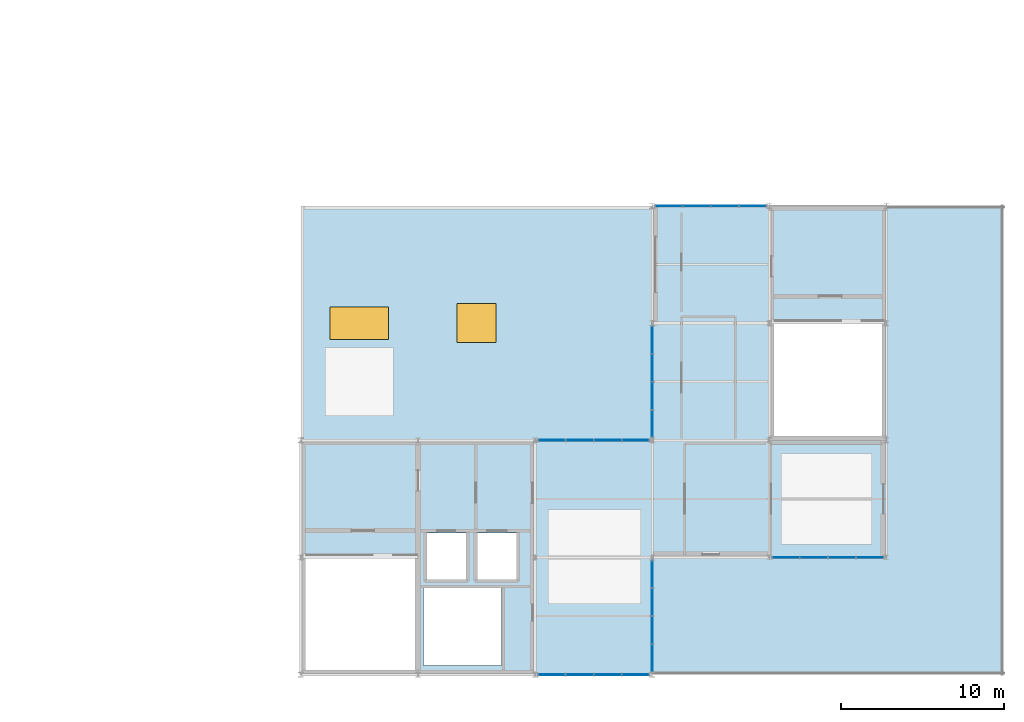
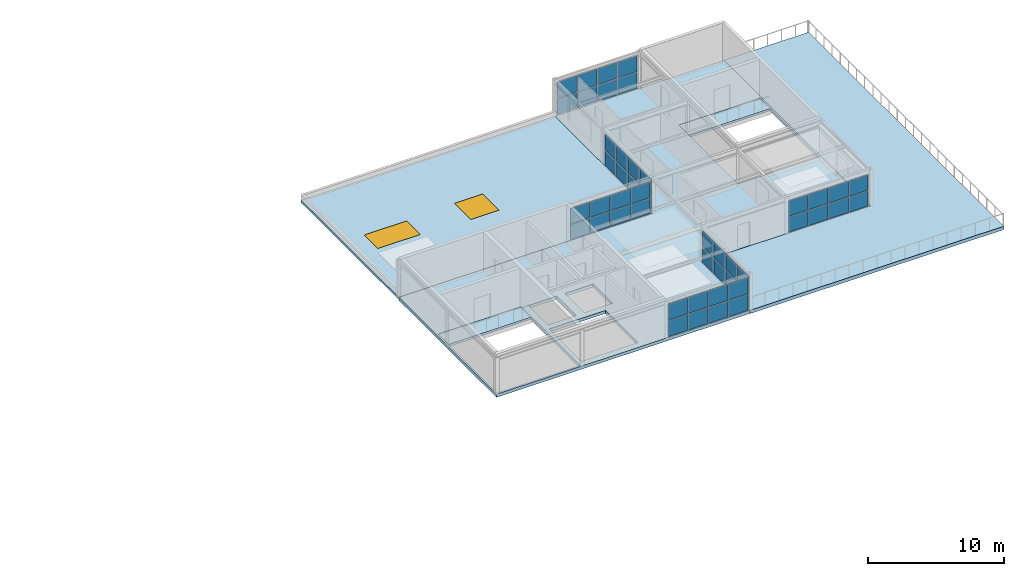
# One storey, part 14 of 22: 48 plates, 5 slabs, 2 windows, 2 openings, 6 elements without a shape of their own.
"""IFC4 building model written with IfcOpenShell, lengths in metres."""

from ifc_helpers import new_model, si_unit, direction, frame, origin, origin_2d, place, context, subcontext, project, spatial, polyline, rectangle, outline, extrude, material, layer, layer_set, type_object, element, fill, aggregate, save


model = new_model("IFC4")

# Units and contexts
model_context = context("Model", 3, precision=1e-05, world=origin(), true_north=direction((0.0, 1.0)))
body_context = subcontext(model_context, "Body", "Model", "MODEL_VIEW")
ifc_project = project(units=[si_unit("LENGTHUNIT", "METRE"), si_unit("AREAUNIT", "SQUARE_METRE"), si_unit("VOLUMEUNIT", "CUBIC_METRE"), si_unit("PLANEANGLEUNIT", "RADIAN"), si_unit("MASSUNIT", "GRAM", prefix="KILO")], contexts=[model_context])

# Site, building, storey
site_placement = place(None, origin())
site = spatial("IfcSite", under=ifc_project, at=site_placement, CompositionType="ELEMENT")
building_placement = place(site_placement, origin())
building = spatial("IfcBuilding", under=site, at=building_placement, Name="Leyfeld Transit Interchange", CompositionType="ELEMENT")
storey_placement = place(building_placement, frame((0.0, 0.0, 18.0)))
storey = spatial("IfcBuildingStorey", under=building, at=storey_placement, Name="L04", CompositionType="ELEMENT", Elevation=18.0)

# Curtain wall, plates
ifc_material_1 = material(Name="Anodised aluminium EN AW-6060 T66", Category="aluminium")
curtain_wall_type = type_object("IfcCurtainWallType", Name="CW-SYS-BUS-7200", PredefinedType="NOTDEFINED", material=ifc_material_1)
curtain_wall_1_placement = place(storey_placement, origin())
curtain_wall_1 = element("IfcCurtainWall", 1, at=curtain_wall_1_placement, inside=storey, type_object=curtain_wall_type, Name="Curtain Wall CW-L04-139", PredefinedType="NOTDEFINED")
ifc_material_2 = material(Name="Laminated safety acoustic glazing", Category="glass")
ifc_layer_1 = layer(ifc_material_2, 0.048095703125, Name="Laminated safety acoustic glazing")
ifc_layer_set_1 = layer_set([ifc_layer_1], Name="Laminated safety acoustic glazing")
plate_type = type_object("IfcPlateType", Name="CW-PNL-ACU-48", PredefinedType="CURTAIN_PANEL", material=ifc_layer_set_1)
plate_1_placement = place(storey_placement, frame((152.2236328125, 72.0, 0.073486328125), z_axis=(0.0, 0.0, 1.0), x_axis=(1.0, 0.0, 0.0)))
plate_1 = element("IfcPlate", 2, at=plate_1_placement, type_object=plate_type, Name="Glazed Curtain Panel CW-L04-139-P01_1", PredefinedType="CURTAIN_PANEL", context=body_context, shape_type="SweptSolid", body=[
    extrude(rectangle(XDim=1.62060546875, YDim=0.048095703125, at=origin_2d()), origin(), (0.0, 0.0, 1.0), 1.35546875),
])
plate_2_placement = place(storey_placement, frame((152.2236328125, 72.0, 1.5009765625), z_axis=(0.0, 0.0, 1.0), x_axis=(1.0, 0.0, 0.0)))
plate_2 = element("IfcPlate", 3, at=plate_2_placement, type_object=plate_type, Name="Glazed Curtain Panel CW-L04-139-P01_2", PredefinedType="CURTAIN_PANEL", context=body_context, shape_type="SweptSolid", body=[
    extrude(rectangle(XDim=1.62060546875, YDim=0.048095703125, at=origin_2d()), origin(), (0.0, 0.0, 1.0), 1.35546875),
])
plate_3_placement = place(storey_placement, frame((153.93505859375, 72.0, 0.073486328125), z_axis=(0.0, 0.0, 1.0), x_axis=(1.0, 0.0, 0.0)))
plate_3 = element("IfcPlate", 4, at=plate_3_placement, type_object=plate_type, Name="Glazed Curtain Panel CW-L04-139-P02_1", PredefinedType="CURTAIN_PANEL", context=body_context, shape_type="SweptSolid", body=[
    extrude(rectangle(XDim=1.657958984375, YDim=0.048095703125, at=origin_2d()), origin(), (0.0, 0.0, 1.0), 1.35546875),
])
plate_4_placement = place(storey_placement, frame((153.93505859375, 72.0, 1.5009765625), z_axis=(0.0, 0.0, 1.0), x_axis=(1.0, 0.0, 0.0)))
plate_4 = element("IfcPlate", 5, at=plate_4_placement, type_object=plate_type, Name="Glazed Curtain Panel CW-L04-139-P02_2", PredefinedType="CURTAIN_PANEL", context=body_context, shape_type="SweptSolid", body=[
    extrude(rectangle(XDim=1.657958984375, YDim=0.048095703125, at=origin_2d()), origin(), (0.0, 0.0, 1.0), 1.35546875),
])
plate_5_placement = place(storey_placement, frame((155.6650390625, 72.0, 0.073486328125), z_axis=(0.0, 0.0, 1.0), x_axis=(1.0, 0.0, 0.0)))
plate_5 = element("IfcPlate", 6, at=plate_5_placement, type_object=plate_type, Name="Glazed Curtain Panel CW-L04-139-P03_1", PredefinedType="CURTAIN_PANEL", context=body_context, shape_type="SweptSolid", body=[
    extrude(rectangle(XDim=1.657958984375, YDim=0.048095703125, at=origin_2d()), origin(), (0.0, 0.0, 1.0), 1.35546875),
])
plate_6_placement = place(storey_placement, frame((155.6650390625, 72.0, 1.5009765625), z_axis=(0.0, 0.0, 1.0), x_axis=(1.0, 0.0, 0.0)))
plate_6 = element("IfcPlate", 7, at=plate_6_placement, type_object=plate_type, Name="Glazed Curtain Panel CW-L04-139-P03_2", PredefinedType="CURTAIN_PANEL", context=body_context, shape_type="SweptSolid", body=[
    extrude(rectangle(XDim=1.657958984375, YDim=0.048095703125, at=origin_2d()), origin(), (0.0, 0.0, 1.0), 1.35546875),
])
plate_7_placement = place(storey_placement, frame((157.376220703125, 72.0, 0.073486328125), z_axis=(0.0, 0.0, 1.0), x_axis=(1.0, 0.0, 0.0)))
plate_7 = element("IfcPlate", 8, at=plate_7_placement, type_object=plate_type, Name="Glazed Curtain Panel CW-L04-139-P04_1", PredefinedType="CURTAIN_PANEL", context=body_context, shape_type="SweptSolid", body=[
    extrude(rectangle(XDim=1.62060546875, YDim=0.048095703125, at=origin_2d()), origin(), (0.0, 0.0, 1.0), 1.35546875),
])
plate_8_placement = place(storey_placement, frame((157.376220703125, 72.0, 1.5009765625), z_axis=(0.0, 0.0, 1.0), x_axis=(1.0, 0.0, 0.0)))
plate_8 = element("IfcPlate", 9, at=plate_8_placement, type_object=plate_type, Name="Glazed Curtain Panel CW-L04-139-P04_2", PredefinedType="CURTAIN_PANEL", context=body_context, shape_type="SweptSolid", body=[
    extrude(rectangle(XDim=1.62060546875, YDim=0.048095703125, at=origin_2d()), origin(), (0.0, 0.0, 1.0), 1.35546875),
])
aggregate(curtain_wall_1, [plate_1, plate_2, plate_3, plate_4, plate_5, plate_6, plate_7, plate_8])

curtain_wall_2_placement = place(storey_placement, origin())
curtain_wall_2 = element("IfcCurtainWall", 10, at=curtain_wall_2_placement, inside=storey, type_object=curtain_wall_type, Name="Curtain Wall CW-L04-140", PredefinedType="NOTDEFINED")
plate_9_placement = place(storey_placement, frame((158.39990234375, 73.023681640625, 0.07373046875), z_axis=(0.0, 0.0, 1.0), x_axis=(0.0, 1.0, 0.0)))
plate_9 = element("IfcPlate", 11, at=plate_9_placement, type_object=plate_type, Name="Glazed Curtain Panel CW-L04-140-P01_1", PredefinedType="CURTAIN_PANEL", context=body_context, shape_type="SweptSolid", body=[
    extrude(rectangle(XDim=1.62060546875, YDim=0.048095703125, at=origin_2d()), origin(), (0.0, 0.0, 1.0), 1.380615234375),
])
plate_10_placement = place(storey_placement, frame((158.39990234375, 73.023681640625, 1.52587890625), z_axis=(0.0, 0.0, 1.0), x_axis=(0.0, 1.0, 0.0)))
plate_10 = element("IfcPlate", 12, at=plate_10_placement, type_object=plate_type, Name="Glazed Curtain Panel CW-L04-140-P01_2", PredefinedType="CURTAIN_PANEL", context=body_context, shape_type="SweptSolid", body=[
    extrude(rectangle(XDim=1.62060546875, YDim=0.048095703125, at=origin_2d()), origin(), (0.0, 0.0, 1.0), 1.380615234375),
])
plate_11_placement = place(storey_placement, frame((158.39990234375, 74.735107421875, 0.07373046875), z_axis=(0.0, 0.0, 1.0), x_axis=(0.0, 1.0, 0.0)))
plate_11 = element("IfcPlate", 13, at=plate_11_placement, type_object=plate_type, Name="Glazed Curtain Panel CW-L04-140-P02_1", PredefinedType="CURTAIN_PANEL", context=body_context, shape_type="SweptSolid", body=[
    extrude(rectangle(XDim=1.657958984375, YDim=0.048095703125, at=origin_2d()), origin(), (0.0, 0.0, 1.0), 1.380615234375),
])
plate_12_placement = place(storey_placement, frame((158.39990234375, 74.735107421875, 1.52587890625), z_axis=(0.0, 0.0, 1.0), x_axis=(0.0, 1.0, 0.0)))
plate_12 = element("IfcPlate", 14, at=plate_12_placement, type_object=plate_type, Name="Glazed Curtain Panel CW-L04-140-P02_2", PredefinedType="CURTAIN_PANEL", context=body_context, shape_type="SweptSolid", body=[
    extrude(rectangle(XDim=1.657958984375, YDim=0.048095703125, at=origin_2d()), origin(), (0.0, 0.0, 1.0), 1.380615234375),
])
plate_13_placement = place(storey_placement, frame((158.39990234375, 76.465087890625, 0.07373046875), z_axis=(0.0, 0.0, 1.0), x_axis=(0.0, 1.0, 0.0)))
plate_13 = element("IfcPlate", 15, at=plate_13_placement, type_object=plate_type, Name="Glazed Curtain Panel CW-L04-140-P03_1", PredefinedType="CURTAIN_PANEL", context=body_context, shape_type="SweptSolid", body=[
    extrude(rectangle(XDim=1.657958984375, YDim=0.048095703125, at=origin_2d()), origin(), (0.0, 0.0, 1.0), 1.380615234375),
])
plate_14_placement = place(storey_placement, frame((158.39990234375, 76.465087890625, 1.52587890625), z_axis=(0.0, 0.0, 1.0), x_axis=(0.0, 1.0, 0.0)))
plate_14 = element("IfcPlate", 16, at=plate_14_placement, type_object=plate_type, Name="Glazed Curtain Panel CW-L04-140-P03_2", PredefinedType="CURTAIN_PANEL", context=body_context, shape_type="SweptSolid", body=[
    extrude(rectangle(XDim=1.657958984375, YDim=0.048095703125, at=origin_2d()), origin(), (0.0, 0.0, 1.0), 1.380615234375),
])
plate_15_placement = place(storey_placement, frame((158.39990234375, 78.17626953125, 0.07373046875), z_axis=(0.0, 0.0, 1.0), x_axis=(0.0, 1.0, 0.0)))
plate_15 = element("IfcPlate", 17, at=plate_15_placement, type_object=plate_type, Name="Glazed Curtain Panel CW-L04-140-P04_1", PredefinedType="CURTAIN_PANEL", context=body_context, shape_type="SweptSolid", body=[
    extrude(rectangle(XDim=1.62060546875, YDim=0.048095703125, at=origin_2d()), origin(), (0.0, 0.0, 1.0), 1.380615234375),
])
plate_16_placement = place(storey_placement, frame((158.39990234375, 78.17626953125, 1.52587890625), z_axis=(0.0, 0.0, 1.0), x_axis=(0.0, 1.0, 0.0)))
plate_16 = element("IfcPlate", 18, at=plate_16_placement, type_object=plate_type, Name="Glazed Curtain Panel CW-L04-140-P04_2", PredefinedType="CURTAIN_PANEL", context=body_context, shape_type="SweptSolid", body=[
    extrude(rectangle(XDim=1.62060546875, YDim=0.048095703125, at=origin_2d()), origin(), (0.0, 0.0, 1.0), 1.380615234375),
])
aggregate(curtain_wall_2, [plate_9, plate_10, plate_11, plate_12, plate_13, plate_14, plate_15, plate_16])

curtain_wall_3_placement = place(storey_placement, origin())
curtain_wall_3 = element("IfcCurtainWall", 19, at=curtain_wall_3_placement, inside=storey, type_object=curtain_wall_type, Name="Curtain Wall CW-L04-141", PredefinedType="NOTDEFINED")
plate_17_placement = place(storey_placement, frame((159.423583984375, 86.39990234375, 0.07373046875), z_axis=(0.0, 0.0, 1.0), x_axis=(1.0, 0.0, 0.0)))
plate_17 = element("IfcPlate", 20, at=plate_17_placement, type_object=plate_type, Name="Glazed Curtain Panel CW-L04-141-P01_1", PredefinedType="CURTAIN_PANEL", context=body_context, shape_type="SweptSolid", body=[
    extrude(rectangle(XDim=1.62060546875, YDim=0.048095703125, at=origin_2d()), origin(), (0.0, 0.0, 1.0), 1.430419921875),
])
plate_18_placement = place(storey_placement, frame((159.423583984375, 86.39990234375, 1.576171875), z_axis=(0.0, 0.0, 1.0), x_axis=(1.0, 0.0, 0.0)))
plate_18 = element("IfcPlate", 21, at=plate_18_placement, type_object=plate_type, Name="Glazed Curtain Panel CW-L04-141-P01_2", PredefinedType="CURTAIN_PANEL", context=body_context, shape_type="SweptSolid", body=[
    extrude(rectangle(XDim=1.62060546875, YDim=0.048095703125, at=origin_2d()), origin(), (0.0, 0.0, 1.0), 1.430419921875),
])
plate_19_placement = place(storey_placement, frame((161.135009765625, 86.39990234375, 0.07373046875), z_axis=(0.0, 0.0, 1.0), x_axis=(1.0, 0.0, 0.0)))
plate_19 = element("IfcPlate", 22, at=plate_19_placement, type_object=plate_type, Name="Glazed Curtain Panel CW-L04-141-P02_1", PredefinedType="CURTAIN_PANEL", context=body_context, shape_type="SweptSolid", body=[
    extrude(rectangle(XDim=1.657958984375, YDim=0.048095703125, at=origin_2d()), origin(), (0.0, 0.0, 1.0), 1.430419921875),
])
plate_20_placement = place(storey_placement, frame((161.135009765625, 86.39990234375, 1.576171875), z_axis=(0.0, 0.0, 1.0), x_axis=(1.0, 0.0, 0.0)))
plate_20 = element("IfcPlate", 23, at=plate_20_placement, type_object=plate_type, Name="Glazed Curtain Panel CW-L04-141-P02_2", PredefinedType="CURTAIN_PANEL", context=body_context, shape_type="SweptSolid", body=[
    extrude(rectangle(XDim=1.657958984375, YDim=0.048095703125, at=origin_2d()), origin(), (0.0, 0.0, 1.0), 1.430419921875),
])
plate_21_placement = place(storey_placement, frame((162.864990234375, 86.39990234375, 0.07373046875), z_axis=(0.0, 0.0, 1.0), x_axis=(1.0, 0.0, 0.0)))
plate_21 = element("IfcPlate", 24, at=plate_21_placement, type_object=plate_type, Name="Glazed Curtain Panel CW-L04-141-P03_1", PredefinedType="CURTAIN_PANEL", context=body_context, shape_type="SweptSolid", body=[
    extrude(rectangle(XDim=1.657958984375, YDim=0.048095703125, at=origin_2d()), origin(), (0.0, 0.0, 1.0), 1.430419921875),
])
plate_22_placement = place(storey_placement, frame((162.864990234375, 86.39990234375, 1.576171875), z_axis=(0.0, 0.0, 1.0), x_axis=(1.0, 0.0, 0.0)))
plate_22 = element("IfcPlate", 25, at=plate_22_placement, type_object=plate_type, Name="Glazed Curtain Panel CW-L04-141-P03_2", PredefinedType="CURTAIN_PANEL", context=body_context, shape_type="SweptSolid", body=[
    extrude(rectangle(XDim=1.657958984375, YDim=0.048095703125, at=origin_2d()), origin(), (0.0, 0.0, 1.0), 1.430419921875),
])
plate_23_placement = place(storey_placement, frame((164.576171875, 86.39990234375, 0.07373046875), z_axis=(0.0, 0.0, 1.0), x_axis=(1.0, 0.0, 0.0)))
plate_23 = element("IfcPlate", 26, at=plate_23_placement, type_object=plate_type, Name="Glazed Curtain Panel CW-L04-141-P04_1", PredefinedType="CURTAIN_PANEL", context=body_context, shape_type="SweptSolid", body=[
    extrude(rectangle(XDim=1.62060546875, YDim=0.048095703125, at=origin_2d()), origin(), (0.0, 0.0, 1.0), 1.430419921875),
])
plate_24_placement = place(storey_placement, frame((164.576171875, 86.39990234375, 1.576171875), z_axis=(0.0, 0.0, 1.0), x_axis=(1.0, 0.0, 0.0)))
plate_24 = element("IfcPlate", 27, at=plate_24_placement, type_object=plate_type, Name="Glazed Curtain Panel CW-L04-141-P04_2", PredefinedType="CURTAIN_PANEL", context=body_context, shape_type="SweptSolid", body=[
    extrude(rectangle(XDim=1.62060546875, YDim=0.048095703125, at=origin_2d()), origin(), (0.0, 0.0, 1.0), 1.430419921875),
])
aggregate(curtain_wall_3, [plate_17, plate_18, plate_19, plate_20, plate_21, plate_22, plate_23, plate_24])

curtain_wall_4_placement = place(storey_placement, origin())
curtain_wall_4 = element("IfcCurtainWall", 28, at=curtain_wall_4_placement, inside=storey, type_object=curtain_wall_type, Name="Curtain Wall CW-L04-142", PredefinedType="NOTDEFINED")
plate_25_placement = place(storey_placement, frame((171.7763671875, 64.800048828125, 0.073486328125), z_axis=(0.0, 0.0, 1.0), x_axis=(-1.0, 0.0, 0.0)))
plate_25 = element("IfcPlate", 29, at=plate_25_placement, type_object=plate_type, Name="Glazed Curtain Panel CW-L04-142-P01_1", PredefinedType="CURTAIN_PANEL", context=body_context, shape_type="SweptSolid", body=[
    extrude(rectangle(XDim=1.62060546875, YDim=0.048095703125, at=origin_2d()), origin(), (0.0, 0.0, 1.0), 1.35546875),
])
plate_26_placement = place(storey_placement, frame((171.7763671875, 64.800048828125, 1.5009765625), z_axis=(0.0, 0.0, 1.0), x_axis=(-1.0, 0.0, 0.0)))
plate_26 = element("IfcPlate", 30, at=plate_26_placement, type_object=plate_type, Name="Glazed Curtain Panel CW-L04-142-P01_2", PredefinedType="CURTAIN_PANEL", context=body_context, shape_type="SweptSolid", body=[
    extrude(rectangle(XDim=1.62060546875, YDim=0.048095703125, at=origin_2d()), origin(), (0.0, 0.0, 1.0), 1.35546875),
])
plate_27_placement = place(storey_placement, frame((170.06494140625, 64.800048828125, 0.073486328125), z_axis=(0.0, 0.0, 1.0), x_axis=(-1.0, 0.0, 0.0)))
plate_27 = element("IfcPlate", 31, at=plate_27_placement, type_object=plate_type, Name="Glazed Curtain Panel CW-L04-142-P02_1", PredefinedType="CURTAIN_PANEL", context=body_context, shape_type="SweptSolid", body=[
    extrude(rectangle(XDim=1.657958984375, YDim=0.048095703125, at=origin_2d()), origin(), (0.0, 0.0, 1.0), 1.35546875),
])
plate_28_placement = place(storey_placement, frame((170.06494140625, 64.800048828125, 1.5009765625), z_axis=(0.0, 0.0, 1.0), x_axis=(-1.0, 0.0, 0.0)))
plate_28 = element("IfcPlate", 32, at=plate_28_placement, type_object=plate_type, Name="Glazed Curtain Panel CW-L04-142-P02_2", PredefinedType="CURTAIN_PANEL", context=body_context, shape_type="SweptSolid", body=[
    extrude(rectangle(XDim=1.657958984375, YDim=0.048095703125, at=origin_2d()), origin(), (0.0, 0.0, 1.0), 1.35546875),
])
plate_29_placement = place(storey_placement, frame((168.3349609375, 64.800048828125, 0.073486328125), z_axis=(0.0, 0.0, 1.0), x_axis=(-1.0, 0.0, 0.0)))
plate_29 = element("IfcPlate", 33, at=plate_29_placement, type_object=plate_type, Name="Glazed Curtain Panel CW-L04-142-P03_1", PredefinedType="CURTAIN_PANEL", context=body_context, shape_type="SweptSolid", body=[
    extrude(rectangle(XDim=1.657958984375, YDim=0.048095703125, at=origin_2d()), origin(), (0.0, 0.0, 1.0), 1.35546875),
])
plate_30_placement = place(storey_placement, frame((168.3349609375, 64.800048828125, 1.5009765625), z_axis=(0.0, 0.0, 1.0), x_axis=(-1.0, 0.0, 0.0)))
plate_30 = element("IfcPlate", 34, at=plate_30_placement, type_object=plate_type, Name="Glazed Curtain Panel CW-L04-142-P03_2", PredefinedType="CURTAIN_PANEL", context=body_context, shape_type="SweptSolid", body=[
    extrude(rectangle(XDim=1.657958984375, YDim=0.048095703125, at=origin_2d()), origin(), (0.0, 0.0, 1.0), 1.35546875),
])
plate_31_placement = place(storey_placement, frame((166.623779296875, 64.800048828125, 0.073486328125), z_axis=(0.0, 0.0, 1.0), x_axis=(-1.0, 0.0, 0.0)))
plate_31 = element("IfcPlate", 35, at=plate_31_placement, type_object=plate_type, Name="Glazed Curtain Panel CW-L04-142-P04_1", PredefinedType="CURTAIN_PANEL", context=body_context, shape_type="SweptSolid", body=[
    extrude(rectangle(XDim=1.62060546875, YDim=0.048095703125, at=origin_2d()), origin(), (0.0, 0.0, 1.0), 1.35546875),
])
plate_32_placement = place(storey_placement, frame((166.623779296875, 64.800048828125, 1.5009765625), z_axis=(0.0, 0.0, 1.0), x_axis=(-1.0, 0.0, 0.0)))
plate_32 = element("IfcPlate", 36, at=plate_32_placement, type_object=plate_type, Name="Glazed Curtain Panel CW-L04-142-P04_2", PredefinedType="CURTAIN_PANEL", context=body_context, shape_type="SweptSolid", body=[
    extrude(rectangle(XDim=1.62060546875, YDim=0.048095703125, at=origin_2d()), origin(), (0.0, 0.0, 1.0), 1.35546875),
])
aggregate(curtain_wall_4, [plate_25, plate_26, plate_27, plate_28, plate_29, plate_30, plate_31, plate_32])

curtain_wall_5_placement = place(storey_placement, origin())
curtain_wall_5 = element("IfcCurtainWall", 37, at=curtain_wall_5_placement, inside=storey, type_object=curtain_wall_type, Name="Curtain Wall CW-L04-143", PredefinedType="NOTDEFINED")
plate_33_placement = place(storey_placement, frame((158.39990234375, 63.776123046875, 0.07373046875), z_axis=(0.0, 0.0, 1.0), x_axis=(0.0, -1.0, 0.0)))
plate_33 = element("IfcPlate", 38, at=plate_33_placement, type_object=plate_type, Name="Glazed Curtain Panel CW-L04-143-P01_1", PredefinedType="CURTAIN_PANEL", context=body_context, shape_type="SweptSolid", body=[
    extrude(rectangle(XDim=1.62060546875, YDim=0.048095703125, at=origin_2d()), origin(), (0.0, 0.0, 1.0), 1.380615234375),
])
plate_34_placement = place(storey_placement, frame((158.39990234375, 63.776123046875, 1.52587890625), z_axis=(0.0, 0.0, 1.0), x_axis=(0.0, -1.0, 0.0)))
plate_34 = element("IfcPlate", 39, at=plate_34_placement, type_object=plate_type, Name="Glazed Curtain Panel CW-L04-143-P01_2", PredefinedType="CURTAIN_PANEL", context=body_context, shape_type="SweptSolid", body=[
    extrude(rectangle(XDim=1.62060546875, YDim=0.048095703125, at=origin_2d()), origin(), (0.0, 0.0, 1.0), 1.380615234375),
])
plate_35_placement = place(storey_placement, frame((158.39990234375, 62.06494140625, 0.07373046875), z_axis=(0.0, 0.0, 1.0), x_axis=(0.0, -1.0, 0.0)))
plate_35 = element("IfcPlate", 40, at=plate_35_placement, type_object=plate_type, Name="Glazed Curtain Panel CW-L04-143-P02_1", PredefinedType="CURTAIN_PANEL", context=body_context, shape_type="SweptSolid", body=[
    extrude(rectangle(XDim=1.657958984375, YDim=0.048095703125, at=origin_2d()), origin(), (0.0, 0.0, 1.0), 1.380615234375),
])
plate_36_placement = place(storey_placement, frame((158.39990234375, 62.06494140625, 1.52587890625), z_axis=(0.0, 0.0, 1.0), x_axis=(0.0, -1.0, 0.0)))
plate_36 = element("IfcPlate", 41, at=plate_36_placement, type_object=plate_type, Name="Glazed Curtain Panel CW-L04-143-P02_2", PredefinedType="CURTAIN_PANEL", context=body_context, shape_type="SweptSolid", body=[
    extrude(rectangle(XDim=1.657958984375, YDim=0.048095703125, at=origin_2d()), origin(), (0.0, 0.0, 1.0), 1.380615234375),
])
plate_37_placement = place(storey_placement, frame((158.39990234375, 60.3349609375, 0.07373046875), z_axis=(0.0, 0.0, 1.0), x_axis=(0.0, -1.0, 0.0)))
plate_37 = element("IfcPlate", 42, at=plate_37_placement, type_object=plate_type, Name="Glazed Curtain Panel CW-L04-143-P03_1", PredefinedType="CURTAIN_PANEL", context=body_context, shape_type="SweptSolid", body=[
    extrude(rectangle(XDim=1.657958984375, YDim=0.048095703125, at=origin_2d()), origin(), (0.0, 0.0, 1.0), 1.380615234375),
])
plate_38_placement = place(storey_placement, frame((158.39990234375, 60.3349609375, 1.52587890625), z_axis=(0.0, 0.0, 1.0), x_axis=(0.0, -1.0, 0.0)))
plate_38 = element("IfcPlate", 43, at=plate_38_placement, type_object=plate_type, Name="Glazed Curtain Panel CW-L04-143-P03_2", PredefinedType="CURTAIN_PANEL", context=body_context, shape_type="SweptSolid", body=[
    extrude(rectangle(XDim=1.657958984375, YDim=0.048095703125, at=origin_2d()), origin(), (0.0, 0.0, 1.0), 1.380615234375),
])
plate_39_placement = place(storey_placement, frame((158.39990234375, 58.623779296875, 0.07373046875), z_axis=(0.0, 0.0, 1.0), x_axis=(0.0, -1.0, 0.0)))
plate_39 = element("IfcPlate", 44, at=plate_39_placement, type_object=plate_type, Name="Glazed Curtain Panel CW-L04-143-P04_1", PredefinedType="CURTAIN_PANEL", context=body_context, shape_type="SweptSolid", body=[
    extrude(rectangle(XDim=1.62060546875, YDim=0.048095703125, at=origin_2d()), origin(), (0.0, 0.0, 1.0), 1.380615234375),
])
plate_40_placement = place(storey_placement, frame((158.39990234375, 58.623779296875, 1.52587890625), z_axis=(0.0, 0.0, 1.0), x_axis=(0.0, -1.0, 0.0)))
plate_40 = element("IfcPlate", 45, at=plate_40_placement, type_object=plate_type, Name="Glazed Curtain Panel CW-L04-143-P04_2", PredefinedType="CURTAIN_PANEL", context=body_context, shape_type="SweptSolid", body=[
    extrude(rectangle(XDim=1.62060546875, YDim=0.048095703125, at=origin_2d()), origin(), (0.0, 0.0, 1.0), 1.380615234375),
])
aggregate(curtain_wall_5, [plate_33, plate_34, plate_35, plate_36, plate_37, plate_38, plate_39, plate_40])

curtain_wall_6_placement = place(storey_placement, origin())
curtain_wall_6 = element("IfcCurtainWall", 46, at=curtain_wall_6_placement, inside=storey, type_object=curtain_wall_type, Name="Curtain Wall CW-L04-144", PredefinedType="NOTDEFINED")
plate_41_placement = place(storey_placement, frame((157.376220703125, 57.60009765625, 0.07373046875), z_axis=(0.0, 0.0, 1.0), x_axis=(-1.0, 0.0, 0.0)))
plate_41 = element("IfcPlate", 47, at=plate_41_placement, type_object=plate_type, Name="Glazed Curtain Panel CW-L04-144-P01_1", PredefinedType="CURTAIN_PANEL", context=body_context, shape_type="SweptSolid", body=[
    extrude(rectangle(XDim=1.62060546875, YDim=0.048095703125, at=origin_2d()), origin(), (0.0, 0.0, 1.0), 1.430419921875),
])
plate_42_placement = place(storey_placement, frame((157.376220703125, 57.60009765625, 1.576171875), z_axis=(0.0, 0.0, 1.0), x_axis=(-1.0, 0.0, 0.0)))
plate_42 = element("IfcPlate", 48, at=plate_42_placement, type_object=plate_type, Name="Glazed Curtain Panel CW-L04-144-P01_2", PredefinedType="CURTAIN_PANEL", context=body_context, shape_type="SweptSolid", body=[
    extrude(rectangle(XDim=1.62060546875, YDim=0.048095703125, at=origin_2d()), origin(), (0.0, 0.0, 1.0), 1.430419921875),
])
plate_43_placement = place(storey_placement, frame((155.6650390625, 57.60009765625, 0.07373046875), z_axis=(0.0, 0.0, 1.0), x_axis=(-1.0, 0.0, 0.0)))
plate_43 = element("IfcPlate", 49, at=plate_43_placement, type_object=plate_type, Name="Glazed Curtain Panel CW-L04-144-P02_1", PredefinedType="CURTAIN_PANEL", context=body_context, shape_type="SweptSolid", body=[
    extrude(rectangle(XDim=1.657958984375, YDim=0.048095703125, at=origin_2d()), origin(), (0.0, 0.0, 1.0), 1.430419921875),
])
plate_44_placement = place(storey_placement, frame((155.6650390625, 57.60009765625, 1.576171875), z_axis=(0.0, 0.0, 1.0), x_axis=(-1.0, 0.0, 0.0)))
plate_44 = element("IfcPlate", 50, at=plate_44_placement, type_object=plate_type, Name="Glazed Curtain Panel CW-L04-144-P02_2", PredefinedType="CURTAIN_PANEL", context=body_context, shape_type="SweptSolid", body=[
    extrude(rectangle(XDim=1.657958984375, YDim=0.048095703125, at=origin_2d()), origin(), (0.0, 0.0, 1.0), 1.430419921875),
])
plate_45_placement = place(storey_placement, frame((153.93505859375, 57.60009765625, 0.07373046875), z_axis=(0.0, 0.0, 1.0), x_axis=(-1.0, 0.0, 0.0)))
plate_45 = element("IfcPlate", 51, at=plate_45_placement, type_object=plate_type, Name="Glazed Curtain Panel CW-L04-144-P03_1", PredefinedType="CURTAIN_PANEL", context=body_context, shape_type="SweptSolid", body=[
    extrude(rectangle(XDim=1.657958984375, YDim=0.048095703125, at=origin_2d()), origin(), (0.0, 0.0, 1.0), 1.430419921875),
])
plate_46_placement = place(storey_placement, frame((153.93505859375, 57.60009765625, 1.576171875), z_axis=(0.0, 0.0, 1.0), x_axis=(-1.0, 0.0, 0.0)))
plate_46 = element("IfcPlate", 52, at=plate_46_placement, type_object=plate_type, Name="Glazed Curtain Panel CW-L04-144-P03_2", PredefinedType="CURTAIN_PANEL", context=body_context, shape_type="SweptSolid", body=[
    extrude(rectangle(XDim=1.657958984375, YDim=0.048095703125, at=origin_2d()), origin(), (0.0, 0.0, 1.0), 1.430419921875),
])
plate_47_placement = place(storey_placement, frame((152.2236328125, 57.60009765625, 0.07373046875), z_axis=(0.0, 0.0, 1.0), x_axis=(-1.0, 0.0, 0.0)))
plate_47 = element("IfcPlate", 53, at=plate_47_placement, type_object=plate_type, Name="Glazed Curtain Panel CW-L04-144-P04_1", PredefinedType="CURTAIN_PANEL", context=body_context, shape_type="SweptSolid", body=[
    extrude(rectangle(XDim=1.62060546875, YDim=0.048095703125, at=origin_2d()), origin(), (0.0, 0.0, 1.0), 1.430419921875),
])
plate_48_placement = place(storey_placement, frame((152.2236328125, 57.60009765625, 1.576171875), z_axis=(0.0, 0.0, 1.0), x_axis=(-1.0, 0.0, 0.0)))
plate_48 = element("IfcPlate", 54, at=plate_48_placement, type_object=plate_type, Name="Glazed Curtain Panel CW-L04-144-P04_2", PredefinedType="CURTAIN_PANEL", context=body_context, shape_type="SweptSolid", body=[
    extrude(rectangle(XDim=1.62060546875, YDim=0.048095703125, at=origin_2d()), origin(), (0.0, 0.0, 1.0), 1.430419921875),
])
aggregate(curtain_wall_6, [plate_41, plate_42, plate_43, plate_44, plate_45, plate_46, plate_47, plate_48])

# Slabs
ifc_material_3 = material(Name="Concrete C35/45", Category="concrete")
ifc_layer_2 = layer(ifc_material_3, 0.280029296875, Name="Concrete C35/45")
ifc_layer_set_2 = layer_set([ifc_layer_2], Name="Concrete C35/45")
slab_type_1 = type_object("IfcSlabType", Name="SLB-FLR-280", PredefinedType="FLOOR", material=ifc_layer_set_2)
slab_1_placement = place(storey_placement, frame((0.0, 0.0, -0.280029296875)))
element("IfcSlab", 55, at=slab_1_placement, inside=storey, type_object=slab_type_1, Name="Slab V4 L04 B1", PredefinedType="FLOOR", context=body_context, shape_type="SweptSolid", body=[
    extrude(outline(polyline([(172.800048828125, 86.39990234375), (158.39990234375, 86.39990234375), (158.39990234375, 72.0), (136.800048828125, 72.0), (136.800048828125, 57.60009765625), (158.39990234375, 57.60009765625), (158.39990234375, 64.800048828125), (172.800048828125, 64.800048828125), (172.800048828125, 86.39990234375)]), holes=[polyline([(144.0, 57.75), (136.949951171875, 57.75), (136.949951171875, 66.449951171875), (144.0, 66.449951171875), (144.0, 57.75)]), polyline([(144.35009765625, 58.14990234375), (144.35009765625, 62.919921875), (149.14990234375, 62.919921875), (149.14990234375, 58.14990234375), (144.35009765625, 58.14990234375)]), polyline([(144.550048828125, 66.300048828125), (146.949951171875, 66.300048828125), (146.949951171875, 63.449951171875), (144.550048828125, 63.449951171875), (144.550048828125, 66.300048828125)]), polyline([(150.050048828125, 66.300048828125), (150.050048828125, 63.449951171875), (147.64990234375, 63.449951171875), (147.64990234375, 66.300048828125), (150.050048828125, 66.300048828125)]), polyline([(172.6650390625, 72.135009765625), (165.735107421875, 72.135009765625), (165.735107421875, 80.85009765625), (172.6650390625, 80.85009765625), (172.6650390625, 72.135009765625)])]), origin(), (0.0, 0.0, 1.0), 0.280029296875),
])
ifc_material_4 = material(Name="Precast concrete C40/50", Category="concrete")
ifc_layer_3 = layer(ifc_material_4, 0.199951171875, Name="Precast concrete C40/50")
ifc_layer_set_3 = layer_set([ifc_layer_3], Name="Precast concrete C40/50")
slab_type_2 = type_object("IfcSlabType", Name="SLB-LND-200", PredefinedType="LANDING", material=ifc_layer_set_3)
slab_2_placement = place(storey_placement, frame((0.0, 0.0, -0.199951171875)))
element("IfcSlab", 56, at=slab_2_placement, inside=storey, type_object=slab_type_2, Name="Core K4 Stair Floor Landing L04", PredefinedType="LANDING", context=body_context, shape_type="SweptSolid", body=[
    extrude(outline(polyline([(136.955078125, 64.89990234375), (143.9951171875, 64.89990234375), (143.9951171875, 66.445068359375), (136.955078125, 66.445068359375), (136.955078125, 64.89990234375)])), origin(), (0.0, 0.0, 1.0), 0.199951171875),
])
slab_3_placement = place(storey_placement, frame((0.0, 0.0, -0.199951171875)))
element("IfcSlab", 57, at=slab_3_placement, inside=storey, type_object=slab_type_2, Name="Core K5 Stair Floor Landing L04", PredefinedType="LANDING", context=body_context, shape_type="SweptSolid", body=[
    extrude(outline(polyline([(165.739990234375, 79.300048828125), (172.659912109375, 79.300048828125), (172.659912109375, 80.844970703125), (165.739990234375, 80.844970703125), (165.739990234375, 79.300048828125)])), origin(), (0.0, 0.0, 1.0), 0.199951171875),
])

# Slab, openings, windows
ifc_layer_4 = layer(ifc_material_3, 0.219970703125, Name="Concrete C35/45")
ifc_layer_set_4 = layer_set([ifc_layer_4], Name="Concrete C35/45")
slab_type_3 = type_object("IfcSlabType", Name="SLB-ROOF-220", PredefinedType="ROOF", material=ifc_layer_set_4)
slab_4_placement = place(storey_placement, frame((0.0, 0.0, -0.219970703125)))
slab_4 = element("IfcSlab", 58, at=slab_4_placement, inside=storey, type_object=slab_type_3, Name="Slab V4_ROOF_NW L04 B1", PredefinedType="ROOF", context=body_context, shape_type="SweptSolid", body=[
    extrude(outline(polyline([(158.39990234375, 86.39990234375), (136.800048828125, 86.39990234375), (136.800048828125, 72.0), (158.39990234375, 72.0), (158.39990234375, 86.39990234375)]), holes=[polyline([(142.199951171875, 78.199951171875), (138.60009765625, 78.199951171875), (138.60009765625, 80.199951171875), (142.199951171875, 80.199951171875), (142.199951171875, 78.199951171875)]), polyline([(148.800048828125, 78.0), (146.39990234375, 78.0), (146.39990234375, 80.39990234375), (148.800048828125, 80.39990234375), (148.800048828125, 78.0)])]), origin(), (0.0, 0.0, 1.0), 0.219970703125),
])
opening_1_placement = place(slab_4_placement, frame((140.39990234375, 79.199951171875, 0.0)))
opening_1 = element("IfcOpeningElement", 59, at=opening_1_placement, cuts=slab_4, Name="Opening SK-04", PredefinedType="OPENING", context=body_context, shape_type="SweptSolid", body=[
    extrude(rectangle(XDim=3.60009765625, YDim=2.0, at=origin_2d()), frame((0.0, 0.0, -0.010009765625)), (0.0, 0.0, 1.0), 0.239990234375),
])
opening_2_placement = place(slab_4_placement, frame((147.60009765625, 79.199951171875, 0.0)))
opening_2 = element("IfcOpeningElement", 60, at=opening_2_placement, cuts=slab_4, Name="Opening SK-01", PredefinedType="OPENING", context=body_context, shape_type="SweptSolid", body=[
    extrude(rectangle(XDim=2.39990234375, YDim=2.39990234375, at=origin_2d()), frame((0.0, 0.0, -0.010009765625)), (0.0, 0.0, 1.0), 0.239990234375),
])
window_type_1 = type_object("IfcWindowType", Name="SKY-2400x2400", PartitioningType="SINGLE_PANEL", PredefinedType="SKYLIGHT", material=ifc_material_2)
window_1_placement = place(opening_2_placement, frame((0.0, 0.0, 0.169921875)))
window_1 = element("IfcWindow", 61, at=window_1_placement, inside=storey, type_object=window_type_1, Name="Roof Skylight L04 12", OverallHeight=2.39990234375, OverallWidth=2.39990234375, PartitioningType="SINGLE_PANEL", PredefinedType="SKYLIGHT", context=body_context, shape_type="SweptSolid", body=[
    extrude(rectangle(XDim=2.39990234375, YDim=2.39990234375, at=origin_2d()), origin(), (0.0, 0.0, 1.0), 0.050048828125),
])
fill(opening_2, window_1)
window_type_2 = type_object("IfcWindowType", Name="SKY-3600x2000", PartitioningType="SINGLE_PANEL", PredefinedType="SKYLIGHT", material=ifc_material_2)
window_2_placement = place(opening_1_placement, frame((0.0, 0.0, 0.169921875)))
window_2 = element("IfcWindow", 62, at=window_2_placement, inside=storey, type_object=window_type_2, Name="Roof Skylight L04 11", OverallHeight=2.0, OverallWidth=3.60009765625, PartitioningType="SINGLE_PANEL", PredefinedType="SKYLIGHT", context=body_context, shape_type="SweptSolid", body=[
    extrude(rectangle(XDim=3.60009765625, YDim=2.0, at=origin_2d()), origin(), (0.0, 0.0, 1.0), 0.050048828125),
])
fill(opening_1, window_2)

# Slab
ifc_layer_5 = layer(ifc_material_3, 0.300048828125, Name="Concrete C35/45")
ifc_layer_set_5 = layer_set([ifc_layer_5], Name="Concrete C35/45")
slab_type_4 = type_object("IfcSlabType", Name="SLB-TERR-300", PredefinedType="FLOOR", material=ifc_layer_set_5)
slab_5_placement = place(storey_placement, frame((0.0, 0.0, -0.300048828125)))
element("IfcSlab", 63, at=slab_5_placement, inside=storey, type_object=slab_type_4, Name="Outdoor Roof Terrace V4_TERR L04", PredefinedType="FLOOR", context=body_context, shape_type="SweptSolid", body=[
    extrude(outline(polyline([(180.0, 57.60009765625), (180.0, 64.800048828125), (180.0, 86.39990234375), (172.800048828125, 86.39990234375), (172.800048828125, 64.800048828125), (158.39990234375, 64.800048828125), (158.39990234375, 57.60009765625), (172.800048828125, 57.60009765625), (180.0, 57.60009765625)])), origin(), (0.0, 0.0, 1.0), 0.300048828125),
])

save(model, "model.ifc")
